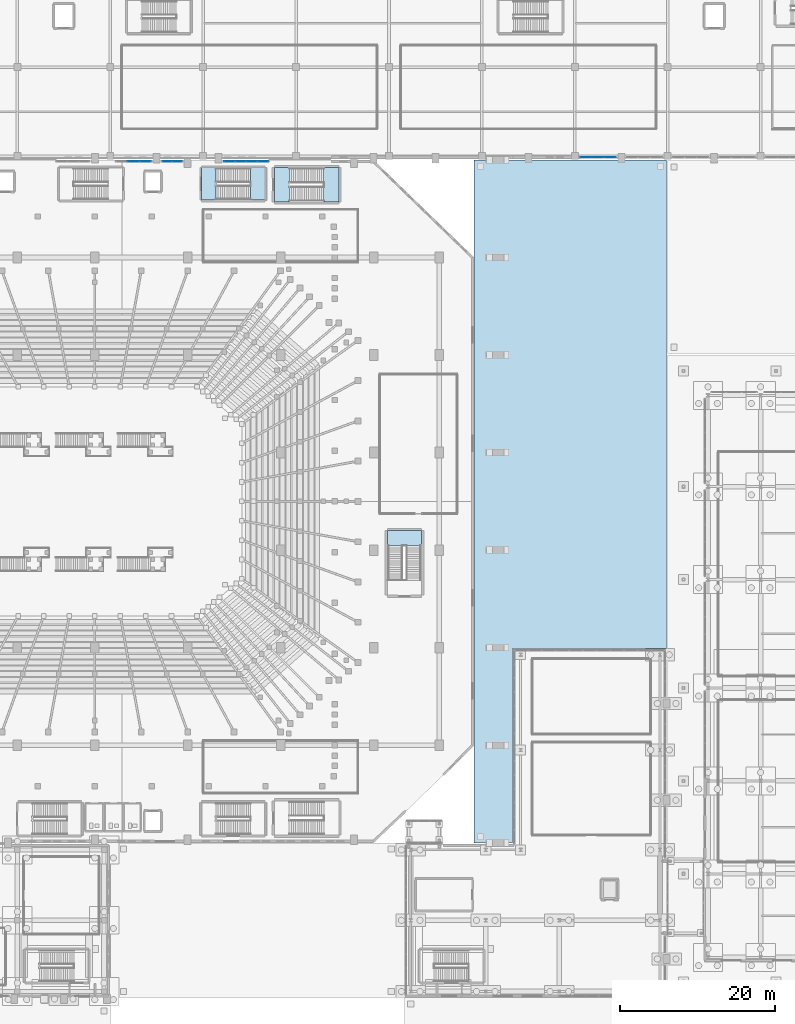
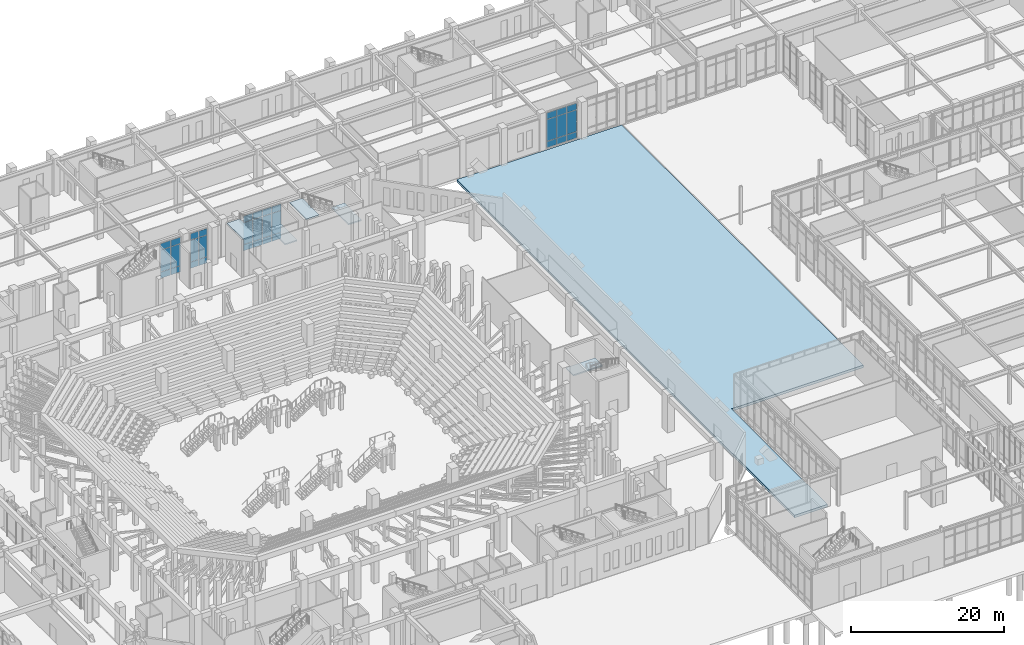
# One storey, part 86 of 143: 33 plates, 6 slabs, 7 elements without a shape of their own.
"""IFC4 building model written with IfcOpenShell, lengths in metres."""

from ifc_helpers import new_model, si_unit, derived_unit, direction, frame, origin, origin_2d, place, context, subcontext, project, spatial, polyline, rectangle, outline, extrude, material, layer, layer_set, type_object, element, aggregate, save


model = new_model("IFC4")

# Units and contexts
model_context = context("Model", 3, precision=1e-05, world=origin(), true_north=direction((0.0, 1.0)))
body_context = subcontext(model_context, "Body", "Model", "MODEL_VIEW")
ifc_project = project(units=[si_unit("LENGTHUNIT", "METRE"), si_unit("AREAUNIT", "SQUARE_METRE"), si_unit("VOLUMEUNIT", "CUBIC_METRE"), si_unit("PLANEANGLEUNIT", "RADIAN"), si_unit("MASSUNIT", "GRAM", prefix="KILO"), derived_unit("THERMALTRANSMITTANCEUNIT", [(si_unit("MASSUNIT", "GRAM", prefix="KILO"), 1), (si_unit("TIMEUNIT", "SECOND"), -3), (si_unit("THERMODYNAMICTEMPERATUREUNIT", "KELVIN"), -1)])], contexts=[model_context])

# Site, building, storey
site_placement = place(None, origin())
site = spatial("IfcSite", under=ifc_project, at=site_placement, CompositionType="ELEMENT")
building_placement = place(site_placement, origin())
building = spatial("IfcBuilding", under=site, at=building_placement, Name="Valcora Ridge Arena", CompositionType="ELEMENT")
storey_placement = place(building_placement, origin())
storey = spatial("IfcBuildingStorey", under=building, at=storey_placement, Name="L00", CompositionType="ELEMENT", Elevation=0.0)

# Stair, slabs
ifc_material_1 = material(Name="Concrete C40/50", Category="concrete")
stair_type_1 = type_object("IfcStairType", Name="TY-STAIR-ES04-60", PredefinedType="HALF_TURN_STAIR", material=ifc_material_1)
stair_1_placement = place(storey_placement, origin())
stair_1 = element("IfcStair", 1, at=stair_1_placement, inside=storey, type_object=stair_type_1, Name="ES04-60 STR-ES-0013", PredefinedType="HALF_TURN_STAIR")
ifc_layer_1 = layer(ifc_material_1, 0.199951171875, Name="Concrete C40/50")
ifc_layer_set_1 = layer_set([ifc_layer_1], Name="Concrete C40/50")
slab_type_1 = type_object("IfcSlabType", Name="TY-LAND-ES04-60", PredefinedType="LANDING", material=ifc_layer_set_1)
slab_1_placement = place(storey_placement, frame((0.0, 0.0, 2.800048828125)))
slab_1 = element("IfcSlab", 2, at=slab_1_placement, type_object=slab_type_1, Name="ES04-60 landing 1", PredefinedType="LANDING", context=body_context, shape_type="SweptSolid", body=[
    extrude(outline(polyline([(78.1201171875, 103.001953125), (79.9580078125, 103.001953125), (79.9580078125, 107.197998046875), (78.1201171875, 107.197998046875), (78.1201171875, 103.001953125)])), origin(), (0.0, 0.0, 1.0), 0.199951171875),
])
slab_2_placement = place(storey_placement, frame((0.0, 0.0, 5.800048828125)))
slab_2 = element("IfcSlab", 3, at=slab_2_placement, type_object=slab_type_1, Name="ES04-60 landing 2", PredefinedType="LANDING", context=body_context, shape_type="SweptSolid", body=[
    extrude(outline(polyline([(71.802001953125, 103.001953125), (73.679931640625, 103.001953125), (73.679931640625, 107.197998046875), (71.802001953125, 107.197998046875), (71.802001953125, 103.001953125)])), origin(), (0.0, 0.0, 1.0), 0.199951171875),
])
aggregate(stair_1, [slab_1, slab_2])

stair_type_2 = type_object("IfcStairType", Name="TY-STAIR-ST04-60", PredefinedType="HALF_TURN_STAIR", material=ifc_material_1)
stair_2_placement = place(storey_placement, origin())
stair_2 = element("IfcStair", 4, at=stair_2_placement, inside=storey, type_object=stair_type_2, Name="ST04-60 STR-CR-0019", PredefinedType="HALF_TURN_STAIR")
ifc_layer_2 = layer(ifc_material_1, 0.199951171875, Name="Concrete C40/50")
ifc_layer_set_2 = layer_set([ifc_layer_2], Name="Concrete C40/50")
slab_type_2 = type_object("IfcSlabType", Name="TY-LAND-ST04-60", PredefinedType="LANDING", material=ifc_layer_set_2)
slab_3_placement = place(storey_placement, frame((0.0, 0.0, 2.800048828125)))
slab_3 = element("IfcSlab", 5, at=slab_3_placement, type_object=slab_type_2, Name="ST04-60 landing 1", PredefinedType="LANDING", context=body_context, shape_type="SweptSolid", body=[
    extrude(outline(polyline([(87.570068359375, 102.802001953125), (89.51806640625, 102.802001953125), (89.51806640625, 107.197998046875), (87.570068359375, 107.197998046875), (87.570068359375, 102.802001953125)])), origin(), (0.0, 0.0, 1.0), 0.199951171875),
])
slab_4_placement = place(storey_placement, frame((0.0, 0.0, 5.800048828125)))
slab_4 = element("IfcSlab", 6, at=slab_4_placement, type_object=slab_type_2, Name="ST04-60 landing 2", PredefinedType="LANDING", context=body_context, shape_type="SweptSolid", body=[
    extrude(outline(polyline([(81.201904296875, 102.802001953125), (83.1298828125, 102.802001953125), (83.1298828125, 107.197998046875), (81.201904296875, 107.197998046875), (81.201904296875, 102.802001953125)])), origin(), (0.0, 0.0, 1.0), 0.199951171875),
])
aggregate(stair_2, [slab_3, slab_4])

# Stair, slab
stair_type_3 = type_object("IfcStairType", Name="TY-STAIR-ST06-60", PredefinedType="HALF_TURN_STAIR", material=ifc_material_1)
stair_3_placement = place(storey_placement, origin())
stair_3 = element("IfcStair", 7, at=stair_3_placement, inside=storey, type_object=stair_type_3, Name="ST06-60 STR-CR-0030", PredefinedType="HALF_TURN_STAIR")
ifc_layer_3 = layer(ifc_material_1, 0.199951171875, Name="Concrete C40/50")
ifc_layer_set_3 = layer_set([ifc_layer_3], Name="Concrete C40/50")
slab_type_3 = type_object("IfcSlabType", Name="TY-LAND-ST06-60", PredefinedType="LANDING", material=ifc_layer_set_3)
slab_5_placement = place(storey_placement, frame((0.0, 0.0, 2.800048828125)))
slab_5 = element("IfcSlab", 8, at=slab_5_placement, type_object=slab_type_3, Name="ST06-60 landing 1", PredefinedType="LANDING", context=body_context, shape_type="SweptSolid", body=[
    extrude(outline(polyline([(95.802001953125, 58.3701171875), (100.197998046875, 58.3701171875), (100.197998046875, 60.318115234375), (95.802001953125, 60.318115234375), (95.802001953125, 58.3701171875)])), origin(), (0.0, 0.0, 1.0), 0.199951171875),
])
aggregate(stair_3, [slab_5])

# Curtain wall, plates
ifc_material_2 = material(Name="Anodised dark bronze architectural aluminium 6063-T6", Category="aluminium")
ifc_layer_4 = layer(ifc_material_2, 0.179931640625, Name="Anodised dark bronze architectural aluminium 6063-T6")
ifc_layer_set_4 = layer_set([ifc_layer_4], Name="Anodised dark bronze architectural aluminium 6063-T6")
curtain_wall_type_1 = type_object("IfcCurtainWallType", Name="TY-CURTAINWALL-CW-V1-GOTH-026X56", PredefinedType="NOTDEFINED", material=ifc_layer_set_4)
curtain_wall_1_placement = place(storey_placement, origin())
curtain_wall_1 = element("IfcCurtainWall", 9, at=curtain_wall_1_placement, inside=storey, type_object=curtain_wall_type_1, Name="CW-V1-GOTH-026X56 CW-0090", PredefinedType="NOTDEFINED")
ifc_material_3 = material(Name="Low-iron solar-control double glazing SHGC 0.28", Category="glass")
ifc_layer_5 = layer(ifc_material_3, 0.031982421875, Name="Low-iron solar-control double glazing SHGC 0.28")
ifc_layer_set_5 = layer_set([ifc_layer_5], Name="Low-iron solar-control double glazing SHGC 0.28")
plate_type_1 = type_object("IfcPlateType", Name="TY-PLT-CWP-1220X0960", PredefinedType="CURTAIN_PANEL", material=ifc_layer_set_5)
plate_1_placement = place(storey_placement, frame((67.360107421875, 108.0, 0.06005859375), z_axis=(0.0, 0.0, 1.0), x_axis=(1.0, 0.0, 0.0)))
plate_1 = element("IfcPlate", 10, at=plate_1_placement, type_object=plate_type_1, Name="CW-0090/P00-00", PredefinedType="CURTAIN_PANEL", context=body_context, shape_type="SweptSolid", body=[
    extrude(rectangle(XDim=1.219970703125, YDim=0.031982421875, at=origin_2d()), origin(), (0.0, 0.0, 1.0), 0.9599609375),
])
plate_2_placement = place(storey_placement, frame((68.639892578125, 108.0, 0.06005859375), z_axis=(0.0, 0.0, 1.0), x_axis=(1.0, 0.0, 0.0)))
plate_2 = element("IfcPlate", 11, at=plate_2_placement, type_object=plate_type_1, Name="CW-0090/P01-00", PredefinedType="CURTAIN_PANEL", context=body_context, shape_type="SweptSolid", body=[
    extrude(rectangle(XDim=1.219970703125, YDim=0.031982421875, at=origin_2d()), origin(), (0.0, 0.0, 1.0), 0.9599609375),
])
ifc_layer_6 = layer(ifc_material_3, 0.031982421875, Name="Low-iron solar-control double glazing SHGC 0.28")
ifc_layer_set_6 = layer_set([ifc_layer_6], Name="Low-iron solar-control double glazing SHGC 0.28")
plate_type_2 = type_object("IfcPlateType", Name="TY-PLT-CWP-1220X1010", PredefinedType="CURTAIN_PANEL", material=ifc_layer_set_6)
plate_3_placement = place(storey_placement, frame((67.360107421875, 108.0, 4.56982421875), z_axis=(0.0, 0.0, 1.0), x_axis=(1.0, 0.0, 0.0)))
plate_3 = element("IfcPlate", 12, at=plate_3_placement, type_object=plate_type_2, Name="CW-0090/P00-02", PredefinedType="CURTAIN_PANEL", context=body_context, shape_type="SweptSolid", body=[
    extrude(rectangle(XDim=1.219970703125, YDim=0.031982421875, at=origin_2d()), origin(), (0.0, 0.0, 1.0), 1.010009765625),
])
plate_4_placement = place(storey_placement, frame((68.639892578125, 108.0, 4.56982421875), z_axis=(0.0, 0.0, 1.0), x_axis=(1.0, 0.0, 0.0)))
plate_4 = element("IfcPlate", 13, at=plate_4_placement, type_object=plate_type_2, Name="CW-0090/P01-02", PredefinedType="CURTAIN_PANEL", context=body_context, shape_type="SweptSolid", body=[
    extrude(rectangle(XDim=1.219970703125, YDim=0.031982421875, at=origin_2d()), origin(), (0.0, 0.0, 1.0), 1.010009765625),
])
ifc_layer_7 = layer(ifc_material_3, 0.031982421875, Name="Low-iron solar-control double glazing SHGC 0.28")
ifc_layer_set_7 = layer_set([ifc_layer_7], Name="Low-iron solar-control double glazing SHGC 0.28")
plate_type_3 = type_object("IfcPlateType", Name="TY-PLT-CWP-1220X3430", PredefinedType="CURTAIN_PANEL", material=ifc_layer_set_7)
plate_5_placement = place(storey_placement, frame((67.360107421875, 108.0, 1.080078125), z_axis=(0.0, 0.0, 1.0), x_axis=(1.0, 0.0, 0.0)))
plate_5 = element("IfcPlate", 14, at=plate_5_placement, type_object=plate_type_3, Name="CW-0090/P00-01", PredefinedType="CURTAIN_PANEL", context=body_context, shape_type="SweptSolid", body=[
    extrude(rectangle(XDim=1.219970703125, YDim=0.031982421875, at=origin_2d()), origin(), (0.0, 0.0, 1.0), 3.429931640625),
])
plate_6_placement = place(storey_placement, frame((68.639892578125, 108.0, 1.080078125), z_axis=(0.0, 0.0, 1.0), x_axis=(1.0, 0.0, 0.0)))
plate_6 = element("IfcPlate", 15, at=plate_6_placement, type_object=plate_type_3, Name="CW-0090/P01-01", PredefinedType="CURTAIN_PANEL", context=body_context, shape_type="SweptSolid", body=[
    extrude(rectangle(XDim=1.219970703125, YDim=0.031982421875, at=origin_2d()), origin(), (0.0, 0.0, 1.0), 3.429931640625),
])
aggregate(curtain_wall_1, [plate_1, plate_5, plate_3, plate_2, plate_6, plate_4])

ifc_layer_8 = layer(ifc_material_2, 0.179931640625, Name="Anodised dark bronze architectural aluminium 6063-T6")
ifc_layer_set_8 = layer_set([ifc_layer_8], Name="Anodised dark bronze architectural aluminium 6063-T6")
curtain_wall_type_2 = type_object("IfcCurtainWallType", Name="TY-CURTAINWALL-CW-V1-GOTH-058X56", PredefinedType="NOTDEFINED", material=ifc_layer_set_8)
curtain_wall_2_placement = place(storey_placement, origin())
curtain_wall_2 = element("IfcCurtainWall", 16, at=curtain_wall_2_placement, inside=storey, type_object=curtain_wall_type_2, Name="CW-V1-GOTH-058X56 CW-0091", PredefinedType="NOTDEFINED")
ifc_layer_9 = layer(ifc_material_3, 0.031982421875, Name="Low-iron solar-control double glazing SHGC 0.28")
ifc_layer_set_9 = layer_set([ifc_layer_9], Name="Low-iron solar-control double glazing SHGC 0.28")
plate_type_4 = type_object("IfcPlateType", Name="TY-PLT-CWP-1350X0960", PredefinedType="CURTAIN_PANEL", material=ifc_layer_set_9)
plate_7_placement = place(storey_placement, frame((75.425048828125, 108.0, 0.06005859375), z_axis=(0.0, 0.0, 1.0), x_axis=(1.0, 0.0, 0.0)))
plate_7 = element("IfcPlate", 17, at=plate_7_placement, type_object=plate_type_4, Name="CW-0091/P00-00", PredefinedType="CURTAIN_PANEL", context=body_context, shape_type="SweptSolid", body=[
    extrude(rectangle(XDim=1.35009765625, YDim=0.031982421875, at=origin_2d()), origin(), (0.0, 0.0, 1.0), 0.9599609375),
])
plate_8_placement = place(storey_placement, frame((79.715087890625, 108.0, 0.06005859375), z_axis=(0.0, 0.0, 1.0), x_axis=(1.0, 0.0, 0.0)))
plate_8 = element("IfcPlate", 18, at=plate_8_placement, type_object=plate_type_4, Name="CW-0091/P03-00", PredefinedType="CURTAIN_PANEL", context=body_context, shape_type="SweptSolid", body=[
    extrude(rectangle(XDim=1.35009765625, YDim=0.031982421875, at=origin_2d()), origin(), (0.0, 0.0, 1.0), 0.9599609375),
])
ifc_layer_10 = layer(ifc_material_3, 0.031982421875, Name="Low-iron solar-control double glazing SHGC 0.28")
ifc_layer_set_10 = layer_set([ifc_layer_10], Name="Low-iron solar-control double glazing SHGC 0.28")
plate_type_5 = type_object("IfcPlateType", Name="TY-PLT-CWP-1350X1010", PredefinedType="CURTAIN_PANEL", material=ifc_layer_set_10)
plate_9_placement = place(storey_placement, frame((75.425048828125, 108.0, 4.56982421875), z_axis=(0.0, 0.0, 1.0), x_axis=(1.0, 0.0, 0.0)))
plate_9 = element("IfcPlate", 19, at=plate_9_placement, type_object=plate_type_5, Name="CW-0091/P00-02", PredefinedType="CURTAIN_PANEL", context=body_context, shape_type="SweptSolid", body=[
    extrude(rectangle(XDim=1.35009765625, YDim=0.031982421875, at=origin_2d()), origin(), (0.0, 0.0, 1.0), 1.010009765625),
])
plate_10_placement = place(storey_placement, frame((79.715087890625, 108.0, 4.56982421875), z_axis=(0.0, 0.0, 1.0), x_axis=(1.0, 0.0, 0.0)))
plate_10 = element("IfcPlate", 20, at=plate_10_placement, type_object=plate_type_5, Name="CW-0091/P03-02", PredefinedType="CURTAIN_PANEL", context=body_context, shape_type="SweptSolid", body=[
    extrude(rectangle(XDim=1.35009765625, YDim=0.031982421875, at=origin_2d()), origin(), (0.0, 0.0, 1.0), 1.010009765625),
])
ifc_layer_11 = layer(ifc_material_3, 0.031982421875, Name="Low-iron solar-control double glazing SHGC 0.28")
ifc_layer_set_11 = layer_set([ifc_layer_11], Name="Low-iron solar-control double glazing SHGC 0.28")
plate_type_6 = type_object("IfcPlateType", Name="TY-PLT-CWP-1350X3430", PredefinedType="CURTAIN_PANEL", material=ifc_layer_set_11)
plate_11_placement = place(storey_placement, frame((75.425048828125, 108.0, 1.080078125), z_axis=(0.0, 0.0, 1.0), x_axis=(1.0, 0.0, 0.0)))
plate_11 = element("IfcPlate", 21, at=plate_11_placement, type_object=plate_type_6, Name="CW-0091/P00-01", PredefinedType="CURTAIN_PANEL", context=body_context, shape_type="SweptSolid", body=[
    extrude(rectangle(XDim=1.35009765625, YDim=0.031982421875, at=origin_2d()), origin(), (0.0, 0.0, 1.0), 3.429931640625),
])
plate_12_placement = place(storey_placement, frame((79.715087890625, 108.0, 1.080078125), z_axis=(0.0, 0.0, 1.0), x_axis=(1.0, 0.0, 0.0)))
plate_12 = element("IfcPlate", 22, at=plate_12_placement, type_object=plate_type_6, Name="CW-0091/P03-01", PredefinedType="CURTAIN_PANEL", context=body_context, shape_type="SweptSolid", body=[
    extrude(rectangle(XDim=1.35009765625, YDim=0.031982421875, at=origin_2d()), origin(), (0.0, 0.0, 1.0), 3.429931640625),
])
ifc_layer_12 = layer(ifc_material_3, 0.031982421875, Name="Low-iron solar-control double glazing SHGC 0.28")
ifc_layer_set_12 = layer_set([ifc_layer_12], Name="Low-iron solar-control double glazing SHGC 0.28")
plate_type_7 = type_object("IfcPlateType", Name="TY-PLT-CWP-1380X0960", PredefinedType="CURTAIN_PANEL", material=ifc_layer_set_12)
plate_13_placement = place(storey_placement, frame((76.85009765625, 108.0, 0.06005859375), z_axis=(0.0, 0.0, 1.0), x_axis=(1.0, 0.0, 0.0)))
plate_13 = element("IfcPlate", 23, at=plate_13_placement, type_object=plate_type_7, Name="CW-0091/P01-00", PredefinedType="CURTAIN_PANEL", context=body_context, shape_type="SweptSolid", body=[
    extrude(rectangle(XDim=1.3798828125, YDim=0.031982421875, at=origin_2d()), origin(), (0.0, 0.0, 1.0), 0.9599609375),
])
plate_14_placement = place(storey_placement, frame((78.2900390625, 108.0, 0.06005859375), z_axis=(0.0, 0.0, 1.0), x_axis=(1.0, 0.0, 0.0)))
plate_14 = element("IfcPlate", 24, at=plate_14_placement, type_object=plate_type_7, Name="CW-0091/P02-00", PredefinedType="CURTAIN_PANEL", context=body_context, shape_type="SweptSolid", body=[
    extrude(rectangle(XDim=1.3798828125, YDim=0.031982421875, at=origin_2d()), origin(), (0.0, 0.0, 1.0), 0.9599609375),
])
ifc_layer_13 = layer(ifc_material_3, 0.031982421875, Name="Low-iron solar-control double glazing SHGC 0.28")
ifc_layer_set_13 = layer_set([ifc_layer_13], Name="Low-iron solar-control double glazing SHGC 0.28")
plate_type_8 = type_object("IfcPlateType", Name="TY-PLT-CWP-1380X1010", PredefinedType="CURTAIN_PANEL", material=ifc_layer_set_13)
plate_15_placement = place(storey_placement, frame((76.85009765625, 108.0, 4.56982421875), z_axis=(0.0, 0.0, 1.0), x_axis=(1.0, 0.0, 0.0)))
plate_15 = element("IfcPlate", 25, at=plate_15_placement, type_object=plate_type_8, Name="CW-0091/P01-02", PredefinedType="CURTAIN_PANEL", context=body_context, shape_type="SweptSolid", body=[
    extrude(rectangle(XDim=1.3798828125, YDim=0.031982421875, at=origin_2d()), origin(), (0.0, 0.0, 1.0), 1.010009765625),
])
plate_16_placement = place(storey_placement, frame((78.2900390625, 108.0, 4.56982421875), z_axis=(0.0, 0.0, 1.0), x_axis=(1.0, 0.0, 0.0)))
plate_16 = element("IfcPlate", 26, at=plate_16_placement, type_object=plate_type_8, Name="CW-0091/P02-02", PredefinedType="CURTAIN_PANEL", context=body_context, shape_type="SweptSolid", body=[
    extrude(rectangle(XDim=1.3798828125, YDim=0.031982421875, at=origin_2d()), origin(), (0.0, 0.0, 1.0), 1.010009765625),
])
ifc_layer_14 = layer(ifc_material_3, 0.031982421875, Name="Low-iron solar-control double glazing SHGC 0.28")
ifc_layer_set_14 = layer_set([ifc_layer_14], Name="Low-iron solar-control double glazing SHGC 0.28")
plate_type_9 = type_object("IfcPlateType", Name="TY-PLT-CWP-1380X3430", PredefinedType="CURTAIN_PANEL", material=ifc_layer_set_14)
plate_17_placement = place(storey_placement, frame((76.85009765625, 108.0, 1.080078125), z_axis=(0.0, 0.0, 1.0), x_axis=(1.0, 0.0, 0.0)))
plate_17 = element("IfcPlate", 27, at=plate_17_placement, type_object=plate_type_9, Name="CW-0091/P01-01", PredefinedType="CURTAIN_PANEL", context=body_context, shape_type="SweptSolid", body=[
    extrude(rectangle(XDim=1.3798828125, YDim=0.031982421875, at=origin_2d()), origin(), (0.0, 0.0, 1.0), 3.429931640625),
])
plate_18_placement = place(storey_placement, frame((78.2900390625, 108.0, 1.080078125), z_axis=(0.0, 0.0, 1.0), x_axis=(1.0, 0.0, 0.0)))
plate_18 = element("IfcPlate", 28, at=plate_18_placement, type_object=plate_type_9, Name="CW-0091/P02-01", PredefinedType="CURTAIN_PANEL", context=body_context, shape_type="SweptSolid", body=[
    extrude(rectangle(XDim=1.3798828125, YDim=0.031982421875, at=origin_2d()), origin(), (0.0, 0.0, 1.0), 3.429931640625),
])
aggregate(curtain_wall_2, [plate_7, plate_11, plate_9, plate_13, plate_17, plate_15, plate_14, plate_18, plate_16, plate_8, plate_12, plate_10])

ifc_layer_15 = layer(ifc_material_2, 0.179931640625, Name="Anodised dark bronze architectural aluminium 6063-T6")
ifc_layer_set_15 = layer_set([ifc_layer_15], Name="Anodised dark bronze architectural aluminium 6063-T6")
curtain_wall_type_3 = type_object("IfcCurtainWallType", Name="TY-CURTAINWALL-CW-V1-GOTH-046X56", PredefinedType="NOTDEFINED", material=ifc_layer_set_15)
curtain_wall_3_placement = place(storey_placement, origin())
curtain_wall_3 = element("IfcCurtainWall", 29, at=curtain_wall_3_placement, inside=storey, type_object=curtain_wall_type_3, Name="CW-V1-GOTH-046X56 CW-0089", PredefinedType="NOTDEFINED")
ifc_layer_16 = layer(ifc_material_3, 0.031982421875, Name="Low-iron solar-control double glazing SHGC 0.28")
ifc_layer_set_16 = layer_set([ifc_layer_16], Name="Low-iron solar-control double glazing SHGC 0.28")
plate_type_10 = type_object("IfcPlateType", Name="TY-PLT-CWP-1450X0960", PredefinedType="CURTAIN_PANEL", material=ifc_layer_set_16)
plate_19_placement = place(storey_placement, frame((64.52490234375, 108.0, 0.06005859375), z_axis=(0.0, 0.0, 1.0), x_axis=(1.0, 0.0, 0.0)))
plate_19 = element("IfcPlate", 30, at=plate_19_placement, type_object=plate_type_10, Name="CW-0089/P02-00", PredefinedType="CURTAIN_PANEL", context=body_context, shape_type="SweptSolid", body=[
    extrude(rectangle(XDim=1.449951171875, YDim=0.031982421875, at=origin_2d()), origin(), (0.0, 0.0, 1.0), 0.9599609375),
])
ifc_layer_17 = layer(ifc_material_3, 0.031982421875, Name="Low-iron solar-control double glazing SHGC 0.28")
ifc_layer_set_17 = layer_set([ifc_layer_17], Name="Low-iron solar-control double glazing SHGC 0.28")
plate_type_11 = type_object("IfcPlateType", Name="TY-PLT-CWP-1450X1010", PredefinedType="CURTAIN_PANEL", material=ifc_layer_set_17)
plate_20_placement = place(storey_placement, frame((64.52490234375, 108.0, 4.56982421875), z_axis=(0.0, 0.0, 1.0), x_axis=(1.0, 0.0, 0.0)))
plate_20 = element("IfcPlate", 31, at=plate_20_placement, type_object=plate_type_11, Name="CW-0089/P02-02", PredefinedType="CURTAIN_PANEL", context=body_context, shape_type="SweptSolid", body=[
    extrude(rectangle(XDim=1.449951171875, YDim=0.031982421875, at=origin_2d()), origin(), (0.0, 0.0, 1.0), 1.010009765625),
])
ifc_layer_18 = layer(ifc_material_3, 0.031982421875, Name="Low-iron solar-control double glazing SHGC 0.28")
ifc_layer_set_18 = layer_set([ifc_layer_18], Name="Low-iron solar-control double glazing SHGC 0.28")
plate_type_12 = type_object("IfcPlateType", Name="TY-PLT-CWP-1450X3430", PredefinedType="CURTAIN_PANEL", material=ifc_layer_set_18)
plate_21_placement = place(storey_placement, frame((64.52490234375, 108.0, 1.080078125), z_axis=(0.0, 0.0, 1.0), x_axis=(1.0, 0.0, 0.0)))
plate_21 = element("IfcPlate", 32, at=plate_21_placement, type_object=plate_type_12, Name="CW-0089/P02-01", PredefinedType="CURTAIN_PANEL", context=body_context, shape_type="SweptSolid", body=[
    extrude(rectangle(XDim=1.449951171875, YDim=0.031982421875, at=origin_2d()), origin(), (0.0, 0.0, 1.0), 3.429931640625),
])

ifc_layer_19 = layer(ifc_material_2, 0.14990234375, Name="Anodised dark bronze architectural aluminium 6063-T6")
ifc_layer_set_19 = layer_set([ifc_layer_19], Name="Anodised dark bronze architectural aluminium 6063-T6")
curtain_wall_type_4 = type_object("IfcCurtainWallType", Name="TY-CURTAINWALL-CW-V5-MED-046X56", PredefinedType="NOTDEFINED", material=ifc_layer_set_19)
curtain_wall_4_placement = place(storey_placement, origin())
curtain_wall_4 = element("IfcCurtainWall", 33, at=curtain_wall_4_placement, inside=storey, type_object=curtain_wall_type_4, Name="CW-V5-MED-046X56 CW-0306", PredefinedType="NOTDEFINED")
ifc_layer_20 = layer(ifc_material_3, 0.028076171875, Name="Low-iron solar-control double glazing SHGC 0.28")
ifc_layer_set_20 = layer_set([ifc_layer_20], Name="Low-iron solar-control double glazing SHGC 0.28")
plate_type_13 = type_object("IfcPlateType", Name="TY-PLT-CWP-1465X0975", PredefinedType="CURTAIN_PANEL", material=ifc_layer_set_20)
plate_22_placement = place(storey_placement, frame((121.472412109375, 108.550048828125, 0.050048828125), z_axis=(0.0, 0.0, 1.0), x_axis=(1.0, 0.0, 0.0)))
plate_22 = element("IfcPlate", 34, at=plate_22_placement, type_object=plate_type_13, Name="CW-0306/P00-00", PredefinedType="CURTAIN_PANEL", context=body_context, shape_type="SweptSolid", body=[
    extrude(rectangle(XDim=1.465087890625, YDim=0.028076171875, at=origin_2d()), origin(), (0.0, 0.0, 1.0), 0.97509765625),
])
plate_23_placement = place(storey_placement, frame((124.527587890625, 108.550048828125, 0.050048828125), z_axis=(0.0, 0.0, 1.0), x_axis=(1.0, 0.0, 0.0)))
plate_23 = element("IfcPlate", 35, at=plate_23_placement, type_object=plate_type_13, Name="CW-0306/P02-00", PredefinedType="CURTAIN_PANEL", context=body_context, shape_type="SweptSolid", body=[
    extrude(rectangle(XDim=1.465087890625, YDim=0.028076171875, at=origin_2d()), origin(), (0.0, 0.0, 1.0), 0.97509765625),
])
ifc_layer_21 = layer(ifc_material_3, 0.028076171875, Name="Low-iron solar-control double glazing SHGC 0.28")
ifc_layer_set_21 = layer_set([ifc_layer_21], Name="Low-iron solar-control double glazing SHGC 0.28")
plate_type_14 = type_object("IfcPlateType", Name="TY-PLT-CWP-1465X1025", PredefinedType="CURTAIN_PANEL", material=ifc_layer_set_21)
plate_24_placement = place(storey_placement, frame((121.472412109375, 108.550048828125, 4.56494140625), z_axis=(0.0, 0.0, 1.0), x_axis=(1.0, 0.0, 0.0)))
plate_24 = element("IfcPlate", 36, at=plate_24_placement, type_object=plate_type_14, Name="CW-0306/P00-02", PredefinedType="CURTAIN_PANEL", context=body_context, shape_type="SweptSolid", body=[
    extrude(rectangle(XDim=1.465087890625, YDim=0.028076171875, at=origin_2d()), origin(), (0.0, 0.0, 1.0), 1.02490234375),
])
plate_25_placement = place(storey_placement, frame((124.527587890625, 108.550048828125, 4.56494140625), z_axis=(0.0, 0.0, 1.0), x_axis=(1.0, 0.0, 0.0)))
plate_25 = element("IfcPlate", 37, at=plate_25_placement, type_object=plate_type_14, Name="CW-0306/P02-02", PredefinedType="CURTAIN_PANEL", context=body_context, shape_type="SweptSolid", body=[
    extrude(rectangle(XDim=1.465087890625, YDim=0.028076171875, at=origin_2d()), origin(), (0.0, 0.0, 1.0), 1.02490234375),
])
ifc_layer_22 = layer(ifc_material_3, 0.028076171875, Name="Low-iron solar-control double glazing SHGC 0.28")
ifc_layer_set_22 = layer_set([ifc_layer_22], Name="Low-iron solar-control double glazing SHGC 0.28")
plate_type_15 = type_object("IfcPlateType", Name="TY-PLT-CWP-1465X3440", PredefinedType="CURTAIN_PANEL", material=ifc_layer_set_22)
plate_26_placement = place(storey_placement, frame((121.472412109375, 108.550048828125, 1.074951171875), z_axis=(0.0, 0.0, 1.0), x_axis=(1.0, 0.0, 0.0)))
plate_26 = element("IfcPlate", 38, at=plate_26_placement, type_object=plate_type_15, Name="CW-0306/P00-01", PredefinedType="CURTAIN_PANEL", context=body_context, shape_type="SweptSolid", body=[
    extrude(rectangle(XDim=1.465087890625, YDim=0.028076171875, at=origin_2d()), origin(), (0.0, 0.0, 1.0), 3.43994140625),
])
plate_27_placement = place(storey_placement, frame((124.527587890625, 108.550048828125, 1.074951171875), z_axis=(0.0, 0.0, 1.0), x_axis=(1.0, 0.0, 0.0)))
plate_27 = element("IfcPlate", 39, at=plate_27_placement, type_object=plate_type_15, Name="CW-0306/P02-01", PredefinedType="CURTAIN_PANEL", context=body_context, shape_type="SweptSolid", body=[
    extrude(rectangle(XDim=1.465087890625, YDim=0.028076171875, at=origin_2d()), origin(), (0.0, 0.0, 1.0), 3.43994140625),
])

# Plate
ifc_layer_23 = layer(ifc_material_3, 0.031982421875, Name="Low-iron solar-control double glazing SHGC 0.28")
ifc_layer_set_23 = layer_set([ifc_layer_23], Name="Low-iron solar-control double glazing SHGC 0.28")
plate_type_16 = type_object("IfcPlateType", Name="TY-PLT-CWP-1480X0960", PredefinedType="CURTAIN_PANEL", material=ifc_layer_set_23)
plate_28_placement = place(storey_placement, frame((63.0, 108.0, 0.06005859375), z_axis=(0.0, 0.0, 1.0), x_axis=(1.0, 0.0, 0.0)))
plate_28 = element("IfcPlate", 40, at=plate_28_placement, type_object=plate_type_16, Name="CW-0089/P01-00", PredefinedType="CURTAIN_PANEL", context=body_context, shape_type="SweptSolid", body=[
    extrude(rectangle(XDim=1.47998046875, YDim=0.031982421875, at=origin_2d()), origin(), (0.0, 0.0, 1.0), 0.9599609375),
])

ifc_layer_24 = layer(ifc_material_3, 0.031982421875, Name="Low-iron solar-control double glazing SHGC 0.28")
ifc_layer_set_24 = layer_set([ifc_layer_24], Name="Low-iron solar-control double glazing SHGC 0.28")
plate_type_17 = type_object("IfcPlateType", Name="TY-PLT-CWP-1480X1010", PredefinedType="CURTAIN_PANEL", material=ifc_layer_set_24)
plate_29_placement = place(storey_placement, frame((63.0, 108.0, 4.56982421875), z_axis=(0.0, 0.0, 1.0), x_axis=(1.0, 0.0, 0.0)))
plate_29 = element("IfcPlate", 41, at=plate_29_placement, type_object=plate_type_17, Name="CW-0089/P01-02", PredefinedType="CURTAIN_PANEL", context=body_context, shape_type="SweptSolid", body=[
    extrude(rectangle(XDim=1.47998046875, YDim=0.031982421875, at=origin_2d()), origin(), (0.0, 0.0, 1.0), 1.010009765625),
])

ifc_layer_25 = layer(ifc_material_3, 0.031982421875, Name="Low-iron solar-control double glazing SHGC 0.28")
ifc_layer_set_25 = layer_set([ifc_layer_25], Name="Low-iron solar-control double glazing SHGC 0.28")
plate_type_18 = type_object("IfcPlateType", Name="TY-PLT-CWP-1480X3430", PredefinedType="CURTAIN_PANEL", material=ifc_layer_set_25)
plate_30_placement = place(storey_placement, frame((63.0, 108.0, 1.080078125), z_axis=(0.0, 0.0, 1.0), x_axis=(1.0, 0.0, 0.0)))
plate_30 = element("IfcPlate", 42, at=plate_30_placement, type_object=plate_type_18, Name="CW-0089/P01-01", PredefinedType="CURTAIN_PANEL", context=body_context, shape_type="SweptSolid", body=[
    extrude(rectangle(XDim=1.47998046875, YDim=0.031982421875, at=origin_2d()), origin(), (0.0, 0.0, 1.0), 3.429931640625),
])

aggregate(curtain_wall_3, [plate_28, plate_30, plate_29, plate_19, plate_21, plate_20])

ifc_layer_26 = layer(ifc_material_3, 0.028076171875, Name="Low-iron solar-control double glazing SHGC 0.28")
ifc_layer_set_26 = layer_set([ifc_layer_26], Name="Low-iron solar-control double glazing SHGC 0.28")
plate_type_19 = type_object("IfcPlateType", Name="TY-PLT-CWP-1490X0975", PredefinedType="CURTAIN_PANEL", material=ifc_layer_set_26)
plate_31_placement = place(storey_placement, frame((123.0, 108.550048828125, 0.050048828125), z_axis=(0.0, 0.0, 1.0), x_axis=(1.0, 0.0, 0.0)))
plate_31 = element("IfcPlate", 43, at=plate_31_placement, type_object=plate_type_19, Name="CW-0306/P01-00", PredefinedType="CURTAIN_PANEL", context=body_context, shape_type="SweptSolid", body=[
    extrude(rectangle(XDim=1.489990234375, YDim=0.028076171875, at=origin_2d()), origin(), (0.0, 0.0, 1.0), 0.97509765625),
])

ifc_layer_27 = layer(ifc_material_3, 0.028076171875, Name="Low-iron solar-control double glazing SHGC 0.28")
ifc_layer_set_27 = layer_set([ifc_layer_27], Name="Low-iron solar-control double glazing SHGC 0.28")
plate_type_20 = type_object("IfcPlateType", Name="TY-PLT-CWP-1490X1025", PredefinedType="CURTAIN_PANEL", material=ifc_layer_set_27)
plate_32_placement = place(storey_placement, frame((123.0, 108.550048828125, 4.56494140625), z_axis=(0.0, 0.0, 1.0), x_axis=(1.0, 0.0, 0.0)))
plate_32 = element("IfcPlate", 44, at=plate_32_placement, type_object=plate_type_20, Name="CW-0306/P01-02", PredefinedType="CURTAIN_PANEL", context=body_context, shape_type="SweptSolid", body=[
    extrude(rectangle(XDim=1.489990234375, YDim=0.028076171875, at=origin_2d()), origin(), (0.0, 0.0, 1.0), 1.02490234375),
])

ifc_layer_28 = layer(ifc_material_3, 0.028076171875, Name="Low-iron solar-control double glazing SHGC 0.28")
ifc_layer_set_28 = layer_set([ifc_layer_28], Name="Low-iron solar-control double glazing SHGC 0.28")
plate_type_21 = type_object("IfcPlateType", Name="TY-PLT-CWP-1490X3440", PredefinedType="CURTAIN_PANEL", material=ifc_layer_set_28)
plate_33_placement = place(storey_placement, frame((123.0, 108.550048828125, 1.074951171875), z_axis=(0.0, 0.0, 1.0), x_axis=(1.0, 0.0, 0.0)))
plate_33 = element("IfcPlate", 45, at=plate_33_placement, type_object=plate_type_21, Name="CW-0306/P01-01", PredefinedType="CURTAIN_PANEL", context=body_context, shape_type="SweptSolid", body=[
    extrude(rectangle(XDim=1.489990234375, YDim=0.028076171875, at=origin_2d()), origin(), (0.0, 0.0, 1.0), 3.43994140625),
])

aggregate(curtain_wall_4, [plate_22, plate_26, plate_24, plate_31, plate_33, plate_32, plate_23, plate_27, plate_25])

# Slab
ifc_layer_29 = layer(ifc_material_1, 0.39990234375, Name="Concrete C40/50")
ifc_layer_set_29 = layer_set([ifc_layer_29], Name="Concrete C40/50")
slab_type_4 = type_object("IfcSlabType", Name="TY-SLAB-SL-CLOISTER-E", PredefinedType="USERDEFINED", material=ifc_layer_set_29)
slab_6_placement = place(storey_placement, frame((0.0, 0.0, -0.39990234375)))
element("IfcSlab", 46, at=slab_6_placement, inside=storey, type_object=slab_type_4, Name="SL-CLOISTER-E SLB-0030", ObjectType="PAVING", PredefinedType="USERDEFINED", context=body_context, shape_type="SweptSolid", body=[
    extrude(outline(polyline([(107.0, 20.0), (111.949951171875, 20.0), (111.949951171875, 45.050048828125), (111.961181640625, 45.081787109375), (112.0, 45.10009765625), (131.85009765625, 45.10009765625), (131.85009765625, 108.199951171875), (107.0, 108.199951171875), (107.0, 20.0)])), origin(), (0.0, 0.0, 1.0), 0.39990234375),
])

save(model, "model.ifc")
